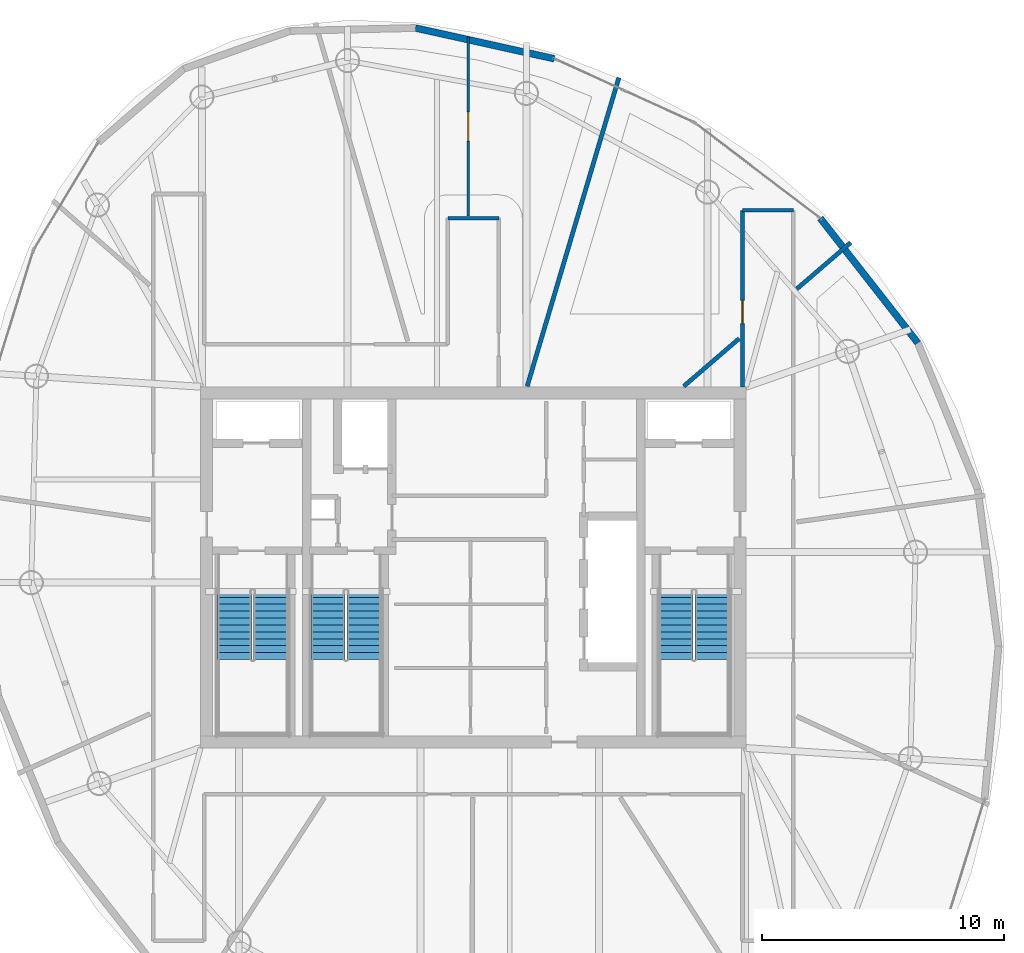
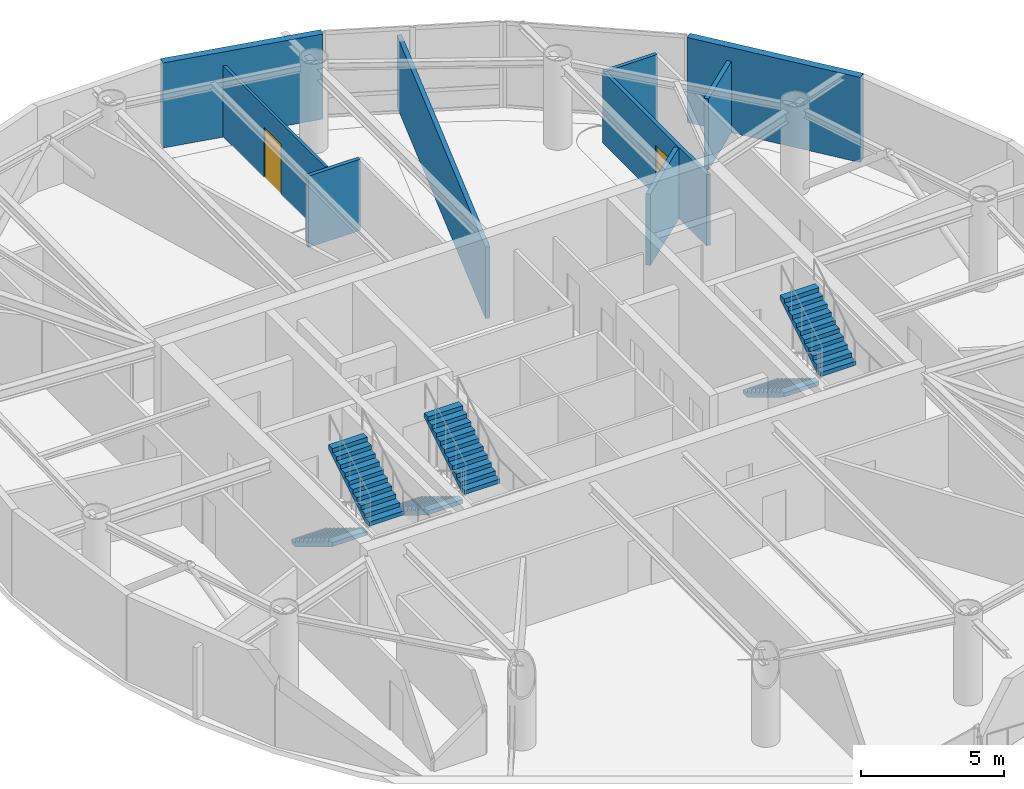
# One storey, part 16 of 19: 9 walls, 6 stair flights, 2 doors, 2 openings, 3 elements without a shape of their own.
"""IFC4 building model written with IfcOpenShell, lengths in metres."""

from ifc_helpers import new_model, si_unit, direction, frame, frame_2d, origin, place, context, subcontext, project, spatial, polyline, rectangle, outline, extrude, material, layer, layer_set, type_object, element, fill, aggregate, save


model = new_model("IFC4")

# Units and contexts
model_context = context("Model", 3, precision=1e-05, world=origin(), true_north=direction((0.0, 1.0)))
body_context = subcontext(model_context, "Body", "Model", "MODEL_VIEW")
ifc_project = project(units=[si_unit("LENGTHUNIT", "METRE"), si_unit("AREAUNIT", "SQUARE_METRE"), si_unit("VOLUMEUNIT", "CUBIC_METRE"), si_unit("PLANEANGLEUNIT", "RADIAN"), si_unit("MASSUNIT", "GRAM", prefix="KILO")], contexts=[model_context])

# Site, building, storey
site_placement = place(None, origin())
site = spatial("IfcSite", under=ifc_project, at=site_placement, CompositionType="ELEMENT")
building_placement = place(site_placement, origin())
building = spatial("IfcBuilding", under=site, at=building_placement, Name="Bramvorn Convention Spire", CompositionType="ELEMENT")
storey_placement = place(building_placement, frame((0.0, 0.0, 272.85009765625)))
storey = spatial("IfcBuildingStorey", under=building, at=storey_placement, Name="L69", CompositionType="ELEMENT", Elevation=272.85009765625)

# Walls
ifc_material_1 = material(Name="Precast Concrete C40/50 with Bronze Terracotta Rainscreen", Category="masonry")
ifc_layer_1 = layer(ifc_material_1, 0.300048828125)
ifc_layer_set_1 = layer_set([ifc_layer_1], Name="Precast Concrete C40/50 with Bronze Terracotta Rainscreen - WL-EXT-BRONZE-300")
wall_type_1 = type_object("IfcWallType", Name="WL-EXT-BRONZE-300", PredefinedType="SOLIDWALL", material=ifc_layer_set_1)
wall_1_placement = place(storey_placement, frame((52.306884765625, 40.399169921875, 0.0), z_axis=(0.0, 0.0, 1.0), x_axis=(0.616072222738, -0.787689670092, 0.0)))
element("IfcWall", 1, at=wall_1_placement, inside=storey, type_object=wall_type_1, Name="L69 expressed bronze Gothic lancet pier wall 07", PredefinedType="SOLIDWALL", context=body_context, shape_type="SweptSolid", body=[
    extrude(rectangle(XDim=6.52685546875, YDim=0.280029296875, at=frame_2d((3.263427734375, 0.0))), origin(), (0.0, 0.0, 1.0), 3.625),
])
wall_2_placement = place(storey_placement, frame((35.614990234375, 48.244873046875, 0.0), z_axis=(0.0, 0.0, 1.0), x_axis=(0.976315307178, -0.216352538627, 0.0)))
element("IfcWall", 2, at=wall_2_placement, inside=storey, type_object=wall_type_1, Name="L69 expressed bronze Gothic lancet pier wall 10", PredefinedType="SOLIDWALL", context=body_context, shape_type="SweptSolid", body=[
    extrude(rectangle(XDim=5.85986328125, YDim=0.280029296875, at=frame_2d((2.929931640625, 0.0))), origin(), (0.0, 0.0, 1.0), 3.625),
])

# Wall, opening, door
ifc_material_2 = material(Name="Lightweight En-Suite & Wet-Wall Partition", Category="gypsum")
ifc_layer_2 = layer(ifc_material_2, 0.110107421875)
ifc_layer_set_2 = layer_set([ifc_layer_2], Name="Lightweight En-Suite & Wet-Wall Partition - WL-PART-110")
wall_type_2 = type_object("IfcWallType", Name="WL-PART-110", PredefinedType="PARTITIONING", material=ifc_layer_set_2)
wall_3_placement = place(storey_placement, frame((37.791015625, 40.5, 0.0), z_axis=(0.0, 0.0, 1.0), x_axis=(0.0, 1.0, 0.0)))
wall_3 = element("IfcWall", 3, at=wall_3_placement, inside=storey, type_object=wall_type_2, Name="L69 Archive & Print Store 3 inner suite partition", PredefinedType="PARTITIONING", context=body_context, shape_type="SweptSolid", body=[
    extrude(rectangle(XDim=7.367919921875, YDim=0.110107421875, at=frame_2d((3.68408203125, 0.0))), origin(), (0.0, 0.0, 1.0), 3.039794921875),
])
opening_1_placement = place(wall_3_placement, frame((3.083984375, 0.0, 0.0)))
opening_1 = element("IfcOpeningElement", 4, at=opening_1_placement, cuts=wall_3, Name="Opening DSL-12", PredefinedType="OPENING", context=body_context, shape_type="SweptSolid", body=[
    extrude(rectangle(XDim=1.199951171875, YDim=2.14990234375, at=frame_2d((0.60009765625, 1.074951171875))), frame((0.0, 0.06494140625, 0.0), z_axis=(0.0, -1.0, 0.0), x_axis=(1.0, 0.0, 0.0)), (0.0, 0.0, 1.0), 0.130126953125),
])
ifc_material_3 = material(Name="Pocket Sliding Bronze-Framed Glass Suite Door", Category="glass")
door_type_1 = type_object("IfcDoorType", Name="DR-SLIDE-1200", OperationType="NOTDEFINED", PredefinedType="DOOR", material=ifc_material_3)
door_1_placement = place(opening_1_placement, origin())
door_1 = element("IfcDoor", 5, at=door_1_placement, inside=storey, type_object=door_type_1, Name="L69 Inner Suite 3 door", OperationType="SLIDING_TO_RIGHT", OverallHeight=2.14990234375, OverallWidth=1.199951171875, PredefinedType="DOOR", context=body_context, shape_type="SweptSolid", body=[
    extrude(rectangle(XDim=1.199951171875, YDim=2.14990234375, at=frame_2d((0.60009765625, 1.074951171875))), frame((0.0, 0.02490234375, 0.0), z_axis=(0.0, -1.0, 0.0), x_axis=(1.0, 0.0, 0.0)), (0.0, 0.0, 1.0), 0.050048828125),
])
fill(opening_1, door_1)

ifc_material_4 = material(Name="Acoustic Metal-Stud Tenant/Corridor Partition", Category="gypsum")
ifc_layer_3 = layer(ifc_material_4, 0.14990234375)
ifc_layer_set_3 = layer_set([ifc_layer_3], Name="Acoustic Metal-Stud Tenant/Corridor Partition - WL-PART-150")
wall_type_3 = type_object("IfcWallType", Name="WL-PART-150", PredefinedType="PARTITIONING", material=ifc_layer_set_3)
wall_4_placement = place(storey_placement, frame((49.10009765625, 33.449951171875, 0.0), z_axis=(0.0, 0.0, 1.0), x_axis=(0.0, 1.0, 0.0)))
wall_4 = element("IfcWall", 6, at=wall_4_placement, inside=storey, type_object=wall_type_3, Name="L69 East gallery NW wall", PredefinedType="PARTITIONING", context=body_context, shape_type="SweptSolid", body=[
    extrude(rectangle(XDim=7.27587890625, YDim=0.14990234375, at=frame_2d((3.637939453125, 0.0))), origin(), (0.0, 0.0, 1.0), 3.039794921875),
])
opening_2_placement = place(wall_4_placement, frame((2.607421875, 0.0, 0.0)))
opening_2 = element("IfcOpeningElement", 7, at=opening_2_placement, cuts=wall_4, Name="Opening DH-095", PredefinedType="OPENING", context=body_context, shape_type="SweptSolid", body=[
    extrude(rectangle(XDim=0.949951171875, YDim=2.14990234375, at=frame_2d((0.47509765625, 1.074951171875))), frame((0.0, 0.0849609375, 0.0), z_axis=(0.0, -1.0, 0.0), x_axis=(1.0, 0.0, 0.0)), (0.0, 0.0, 1.0), 0.169921875),
])
ifc_material_5 = material(Name="Solid-Core Acoustic Guestroom Entry Door", Category="wood")
door_type_2 = type_object("IfcDoorType", Name="DR-HOTEL-950", OperationType="NOTDEFINED", PredefinedType="DOOR", material=ifc_material_5)
door_2_placement = place(opening_2_placement, origin())
door_2 = element("IfcDoor", 8, at=door_2_placement, inside=storey, type_object=door_type_2, Name="L69 Archive & Document Vault 2 2 door", OperationType="SINGLE_SWING_RIGHT", OverallHeight=2.14990234375, OverallWidth=0.949951171875, PredefinedType="DOOR", context=body_context, shape_type="SweptSolid", body=[
    extrude(rectangle(XDim=0.949951171875, YDim=2.14990234375, at=frame_2d((0.47509765625, 1.074951171875))), frame((0.0, 0.02490234375, 0.0), z_axis=(0.0, -1.0, 0.0), x_axis=(1.0, 0.0, 0.0)), (0.0, 0.0, 1.0), 0.050048828125),
])
fill(opening_2, door_2)

# Walls
wall_5_placement = place(storey_placement, frame((49.10009765625, 40.725830078125, 0.0), z_axis=(0.0, 0.0, 1.0), x_axis=(1.0, 0.0, 0.0)))
element("IfcWall", 9, at=wall_5_placement, inside=storey, type_object=wall_type_3, Name="L69 East gallery north end", PredefinedType="PARTITIONING", context=body_context, shape_type="SweptSolid", body=[
    extrude(rectangle(XDim=2.099853515625, YDim=0.14990234375, at=frame_2d((1.0498046875, 0.0))), origin(), (0.0, 0.0, 1.0), 3.039794921875),
])
wall_6_placement = place(storey_placement, frame((36.949951171875, 40.39990234375, 0.0), z_axis=(0.0, 0.0, 1.0), x_axis=(1.0, 0.0, 0.0)))
element("IfcWall", 10, at=wall_6_placement, inside=storey, type_object=wall_type_3, Name="L69 North spur end wall", PredefinedType="PARTITIONING", context=body_context, shape_type="SweptSolid", body=[
    extrude(rectangle(XDim=2.10009765625, YDim=0.14990234375, at=frame_2d((1.050048828125, 0.0))), origin(), (0.0, 0.0, 1.0), 3.039794921875),
])
ifc_material_6 = material(Name="Double-Stud Acoustic Hotel/Suite Partition", Category="gypsum")
ifc_layer_4 = layer(ifc_material_6, 0.175048828125)
ifc_layer_set_4 = layer_set([ifc_layer_4], Name="Double-Stud Acoustic Hotel/Suite Partition - WL-PART-175")
wall_type_4 = type_object("IfcWallType", Name="WL-PART-175", PredefinedType="PARTITIONING", material=ifc_layer_set_4)
wall_7_placement = place(storey_placement, frame((46.67626953125, 33.469970703125, 0.0), z_axis=(0.0, 0.0, 1.0), x_axis=(0.757802183171, 0.652484368534, 0.0)))
element("IfcWall", 11, at=wall_7_placement, inside=storey, type_object=wall_type_4, Name="L69 Tenant suite partition 2", PredefinedType="PARTITIONING", context=body_context, shape_type="SweptSolid", body=[
    extrude(rectangle(XDim=3.013671875, YDim=0.175048828125, at=frame_2d((1.5068359375, 0.0))), origin(), (0.0, 0.0, 1.0), 3.039794921875),
])
wall_8_placement = place(storey_placement, frame((51.340087890625, 37.4853515625, 0.0), z_axis=(0.0, 0.0, 1.0), x_axis=(0.757856805594, 0.652420924109, 0.0)))
element("IfcWall", 12, at=wall_8_placement, inside=storey, type_object=wall_type_4, Name="L69 Tenant suite partition 2", PredefinedType="PARTITIONING", context=body_context, shape_type="SweptSolid", body=[
    extrude(rectangle(XDim=2.933837890625, YDim=0.175048828125, at=frame_2d((1.466796875, 0.0))), origin(), (0.0, 0.0, 1.0), 3.039794921875),
])
wall_9_placement = place(storey_placement, frame((40.21923828125, 33.469970703125, 0.0), z_axis=(0.0, 0.0, 1.0), x_axis=(0.284773538312, 0.958594821537, 0.0)))
element("IfcWall", 13, at=wall_9_placement, inside=storey, type_object=wall_type_4, Name="L69 Tenant suite partition 3", PredefinedType="PARTITIONING", context=body_context, shape_type="SweptSolid", body=[
    extrude(rectangle(XDim=13.282470703125, YDim=0.175048828125, at=frame_2d((6.64111328125, 0.0))), origin(), (0.0, 0.0, 1.0), 3.039794921875),
])

# Stair, stair flights
ifc_material_7 = material(Name="Concrete C40/50 Precast Stair", Category="concrete")
stair_type = type_object("IfcStairType", Name="ST-TOWER-1550", PredefinedType="HALF_TURN_STAIR", material=ifc_material_7)
stair_1_placement = place(storey_placement, origin())
stair_1 = element("IfcStair", 14, at=stair_1_placement, inside=storey, type_object=stair_type, Name="L69 Protected Exit Stair ST1", PredefinedType="HALF_TURN_STAIR")
ifc_material_8 = material(Name="Concrete C40/50 Precast Stair Flight", Category="concrete")
stair_flight_type = type_object("IfcStairFlightType", Name="STF-TOWER-1550", PredefinedType="STRAIGHT", material=ifc_material_8)
stair_flight_1_placement = place(storey_placement, frame((28.155029296875, 25.050048828125, 0.0), z_axis=(0.0, 0.0, 1.0), x_axis=(0.0, -1.0, 0.0)))
stair_flight_1 = element("IfcStairFlight", 15, at=stair_flight_1_placement, type_object=stair_flight_type, Name="ST1 flight 1", NumberOfRisers=11, NumberOfTreads=10, PredefinedType="STRAIGHT", RiserHeight=0.175, TreadLength=0.285, context=body_context, shape_type="SweptSolid", body=[
    extrude(outline(polyline([(0.0, 0.0), (0.0, 0.175048828125), (0.284912109375, 0.175048828125), (0.284912109375, 0.35009765625), (0.570068359375, 0.35009765625), (0.570068359375, 0.52490234375), (0.85498046875, 0.52490234375), (0.85498046875, 0.699951171875), (1.139892578125, 0.699951171875), (1.139892578125, 0.875), (1.425048828125, 0.875), (1.425048828125, 1.050048828125), (1.7099609375, 1.050048828125), (1.7099609375, 1.22509765625), (1.9951171875, 1.22509765625), (1.9951171875, 1.39990234375), (2.280029296875, 1.39990234375), (2.280029296875, 1.574951171875), (2.56494140625, 1.574951171875), (2.56494140625, 1.75), (2.85009765625, 1.75), (2.85009765625, 1.925048828125), (2.85009765625, 1.573974609375), (0.286376953125, 0.0), (0.0, 0.0)])), frame((0.0, 0.705078125, 0.0), z_axis=(0.0, -1.0, 0.0), x_axis=(1.0, 0.0, 0.0)), (0.0, 0.0, 1.0), 1.409912109375),
])
stair_flight_2_placement = place(storey_placement, frame((29.64501953125, 22.199951171875, 1.9248046875), z_axis=(0.0, 0.0, 1.0), x_axis=(0.0, 1.0, 0.0)))
stair_flight_2 = element("IfcStairFlight", 16, at=stair_flight_2_placement, type_object=stair_flight_type, Name="ST1 flight 2", NumberOfRisers=11, NumberOfTreads=10, PredefinedType="STRAIGHT", RiserHeight=0.175, TreadLength=0.285, context=body_context, shape_type="SweptSolid", body=[
    extrude(outline(polyline([(0.0, 0.0), (0.0, 0.175048828125), (0.284912109375, 0.175048828125), (0.284912109375, 0.35009765625), (0.570068359375, 0.35009765625), (0.570068359375, 0.52490234375), (0.85498046875, 0.52490234375), (0.85498046875, 0.699951171875), (1.139892578125, 0.699951171875), (1.139892578125, 0.875), (1.425048828125, 0.875), (1.425048828125, 1.050048828125), (1.7099609375, 1.050048828125), (1.7099609375, 1.22509765625), (1.9951171875, 1.22509765625), (1.9951171875, 1.39990234375), (2.280029296875, 1.39990234375), (2.280029296875, 1.574951171875), (2.56494140625, 1.574951171875), (2.56494140625, 1.75), (2.85009765625, 1.75), (2.85009765625, 1.925048828125), (2.85009765625, 1.573974609375), (0.286376953125, 0.0), (0.0, 0.0)])), frame((0.0, 0.705078125, 0.0), z_axis=(0.0, -1.0, 0.0), x_axis=(1.0, 0.0, 0.0)), (0.0, 0.0, 1.0), 1.409912109375),
])
aggregate(stair_1, [stair_flight_1, stair_flight_2])

stair_2_placement = place(storey_placement, origin())
stair_2 = element("IfcStair", 17, at=stair_2_placement, inside=storey, type_object=stair_type, Name="L69 Protected Exit Stair ST2", PredefinedType="HALF_TURN_STAIR")
stair_flight_3_placement = place(storey_placement, frame((46.35498046875, 25.050048828125, 0.0), z_axis=(0.0, 0.0, 1.0), x_axis=(0.0, -1.0, 0.0)))
stair_flight_3 = element("IfcStairFlight", 18, at=stair_flight_3_placement, type_object=stair_flight_type, Name="ST2 flight 1", NumberOfRisers=11, NumberOfTreads=10, PredefinedType="STRAIGHT", RiserHeight=0.175, TreadLength=0.285, context=body_context, shape_type="SweptSolid", body=[
    extrude(outline(polyline([(0.0, 0.0), (0.0, 0.175048828125), (0.284912109375, 0.175048828125), (0.284912109375, 0.35009765625), (0.570068359375, 0.35009765625), (0.570068359375, 0.52490234375), (0.85498046875, 0.52490234375), (0.85498046875, 0.699951171875), (1.139892578125, 0.699951171875), (1.139892578125, 0.875), (1.425048828125, 0.875), (1.425048828125, 1.050048828125), (1.7099609375, 1.050048828125), (1.7099609375, 1.22509765625), (1.9951171875, 1.22509765625), (1.9951171875, 1.39990234375), (2.280029296875, 1.39990234375), (2.280029296875, 1.574951171875), (2.56494140625, 1.574951171875), (2.56494140625, 1.75), (2.85009765625, 1.75), (2.85009765625, 1.925048828125), (2.85009765625, 1.573974609375), (0.286376953125, 0.0), (0.0, 0.0)])), frame((0.0, 0.705078125, 0.0), z_axis=(0.0, -1.0, 0.0), x_axis=(1.0, 0.0, 0.0)), (0.0, 0.0, 1.0), 1.409912109375),
])
stair_flight_4_placement = place(storey_placement, frame((47.844970703125, 22.199951171875, 1.9248046875), z_axis=(0.0, 0.0, 1.0), x_axis=(0.0, 1.0, 0.0)))
stair_flight_4 = element("IfcStairFlight", 19, at=stair_flight_4_placement, type_object=stair_flight_type, Name="ST2 flight 2", NumberOfRisers=11, NumberOfTreads=10, PredefinedType="STRAIGHT", RiserHeight=0.175, TreadLength=0.285, context=body_context, shape_type="SweptSolid", body=[
    extrude(outline(polyline([(0.0, 0.0), (0.0, 0.175048828125), (0.284912109375, 0.175048828125), (0.284912109375, 0.35009765625), (0.570068359375, 0.35009765625), (0.570068359375, 0.52490234375), (0.85498046875, 0.52490234375), (0.85498046875, 0.699951171875), (1.139892578125, 0.699951171875), (1.139892578125, 0.875), (1.425048828125, 0.875), (1.425048828125, 1.050048828125), (1.7099609375, 1.050048828125), (1.7099609375, 1.22509765625), (1.9951171875, 1.22509765625), (1.9951171875, 1.39990234375), (2.280029296875, 1.39990234375), (2.280029296875, 1.574951171875), (2.56494140625, 1.574951171875), (2.56494140625, 1.75), (2.85009765625, 1.75), (2.85009765625, 1.925048828125), (2.85009765625, 1.573974609375), (0.286376953125, 0.0), (0.0, 0.0)])), frame((0.0, 0.705078125, 0.0), z_axis=(0.0, -1.0, 0.0), x_axis=(1.0, 0.0, 0.0)), (0.0, 0.0, 1.0), 1.409912109375),
])
aggregate(stair_2, [stair_flight_3, stair_flight_4])

stair_3_placement = place(storey_placement, origin())
stair_3 = element("IfcStair", 20, at=stair_3_placement, inside=storey, type_object=stair_type, Name="L69 Protected Exit Stair ST3", PredefinedType="HALF_TURN_STAIR")
stair_flight_5_placement = place(storey_placement, frame((32.0048828125, 25.050048828125, 0.0), z_axis=(0.0, 0.0, 1.0), x_axis=(0.0, -1.0, 0.0)))
stair_flight_5 = element("IfcStairFlight", 21, at=stair_flight_5_placement, type_object=stair_flight_type, Name="ST3 flight 1", NumberOfRisers=11, NumberOfTreads=10, PredefinedType="STRAIGHT", RiserHeight=0.175, TreadLength=0.285, context=body_context, shape_type="SweptSolid", body=[
    extrude(outline(polyline([(0.0, 0.0), (0.0, 0.175048828125), (0.284912109375, 0.175048828125), (0.284912109375, 0.35009765625), (0.570068359375, 0.35009765625), (0.570068359375, 0.52490234375), (0.85498046875, 0.52490234375), (0.85498046875, 0.699951171875), (1.139892578125, 0.699951171875), (1.139892578125, 0.875), (1.425048828125, 0.875), (1.425048828125, 1.050048828125), (1.7099609375, 1.050048828125), (1.7099609375, 1.22509765625), (1.9951171875, 1.22509765625), (1.9951171875, 1.39990234375), (2.280029296875, 1.39990234375), (2.280029296875, 1.574951171875), (2.56494140625, 1.574951171875), (2.56494140625, 1.75), (2.85009765625, 1.75), (2.85009765625, 1.925048828125), (2.85009765625, 1.573974609375), (0.286376953125, 0.0), (0.0, 0.0)])), frame((0.0, 0.705078125, 0.0), z_axis=(0.0, -1.0, 0.0), x_axis=(1.0, 0.0, 0.0)), (0.0, 0.0, 1.0), 1.409912109375),
])
stair_flight_6_placement = place(storey_placement, frame((33.4951171875, 22.199951171875, 1.9248046875), z_axis=(0.0, 0.0, 1.0), x_axis=(0.0, 1.0, 0.0)))
stair_flight_6 = element("IfcStairFlight", 22, at=stair_flight_6_placement, type_object=stair_flight_type, Name="ST3 flight 2", NumberOfRisers=11, NumberOfTreads=10, PredefinedType="STRAIGHT", RiserHeight=0.175, TreadLength=0.285, context=body_context, shape_type="SweptSolid", body=[
    extrude(outline(polyline([(0.0, 0.0), (0.0, 0.175048828125), (0.284912109375, 0.175048828125), (0.284912109375, 0.35009765625), (0.570068359375, 0.35009765625), (0.570068359375, 0.52490234375), (0.85498046875, 0.52490234375), (0.85498046875, 0.699951171875), (1.139892578125, 0.699951171875), (1.139892578125, 0.875), (1.425048828125, 0.875), (1.425048828125, 1.050048828125), (1.7099609375, 1.050048828125), (1.7099609375, 1.22509765625), (1.9951171875, 1.22509765625), (1.9951171875, 1.39990234375), (2.280029296875, 1.39990234375), (2.280029296875, 1.574951171875), (2.56494140625, 1.574951171875), (2.56494140625, 1.75), (2.85009765625, 1.75), (2.85009765625, 1.925048828125), (2.85009765625, 1.573974609375), (0.286376953125, 0.0), (0.0, 0.0)])), frame((0.0, 0.705078125, 0.0), z_axis=(0.0, -1.0, 0.0), x_axis=(1.0, 0.0, 0.0)), (0.0, 0.0, 1.0), 1.409912109375),
])
aggregate(stair_3, [stair_flight_5, stair_flight_6])

save(model, "model.ifc")
